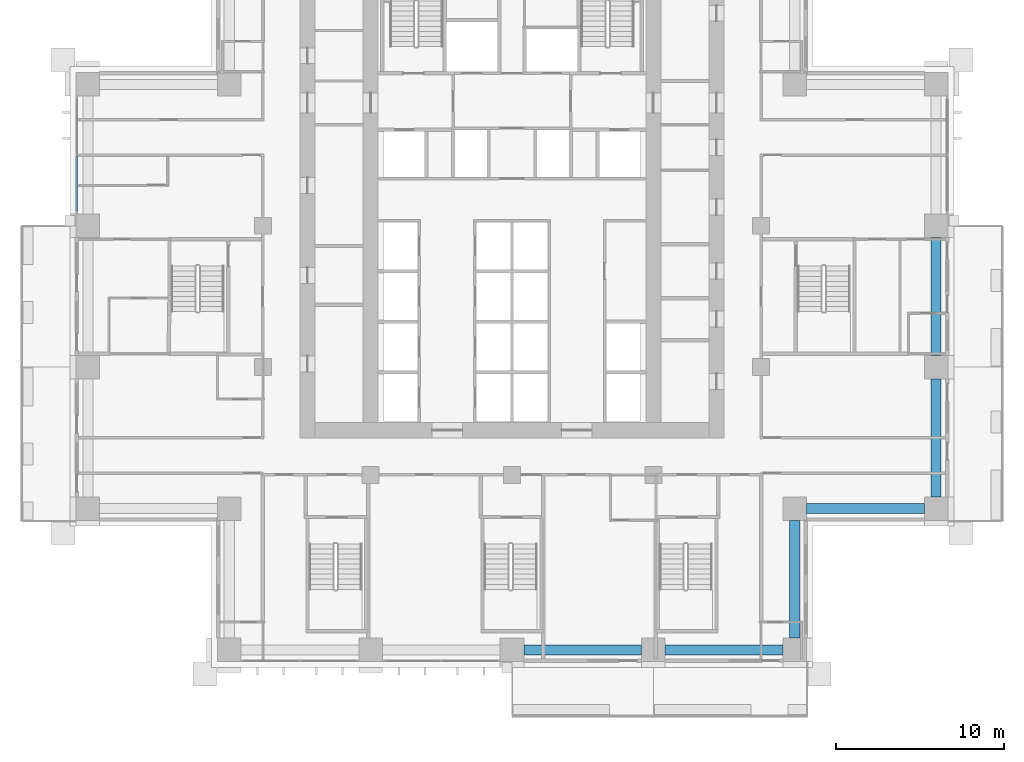
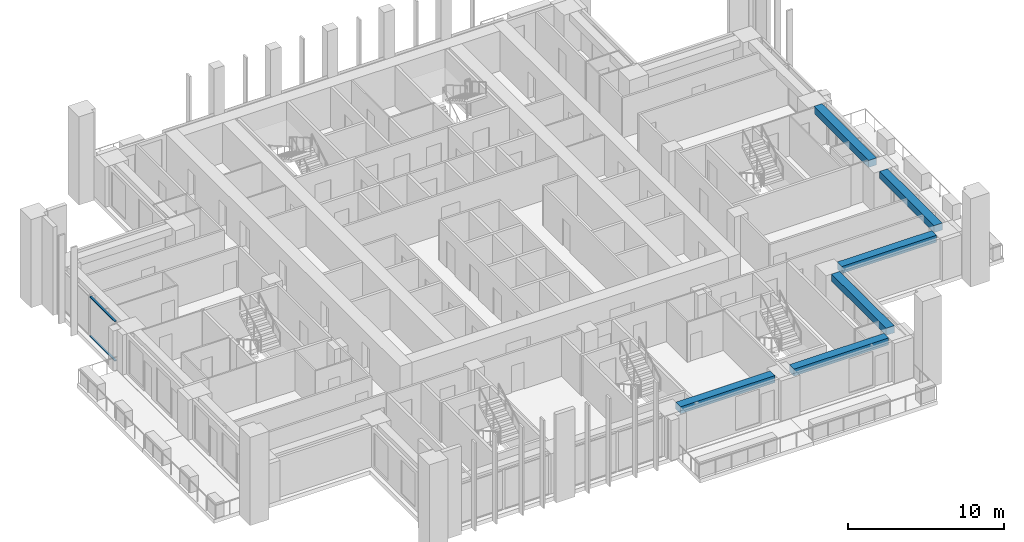
# One storey, part 3 of 19: 6 beams, 2 members, 1 element without a shape of its own.
"""IFC4 building model written with IfcOpenShell, lengths in metres."""

from ifc_helpers import new_model, si_unit, direction, frame, origin, origin_2d, place, context, subcontext, project, spatial, rectangle, extrude, material, material_profile, profile_set, type_object, element, aggregate, save


model = new_model("IFC4")

# Units and contexts
model_context = context("Model", 3, precision=1e-05, world=origin(), true_north=direction((0.0, 1.0)))
body_context = subcontext(model_context, "Body", "Model", "MODEL_VIEW")
ifc_project = project(units=[si_unit("LENGTHUNIT", "METRE"), si_unit("AREAUNIT", "SQUARE_METRE"), si_unit("VOLUMEUNIT", "CUBIC_METRE"), si_unit("PLANEANGLEUNIT", "RADIAN"), si_unit("MASSUNIT", "GRAM", prefix="KILO")], contexts=[model_context])

# Site, building, storey
site_placement = place(None, origin())
site = spatial("IfcSite", under=ifc_project, at=site_placement, CompositionType="ELEMENT")
building_placement = place(site_placement, origin())
building = spatial("IfcBuilding", under=site, at=building_placement, Name="Vermilion Ogive Tower", CompositionType="ELEMENT")
storey_placement = place(building_placement, frame((0.0, 0.0, 48.300048828125)))
storey = spatial("IfcBuildingStorey", under=building, at=storey_placement, Name="L10", CompositionType="ELEMENT", Elevation=48.300048828125)

# Curtain wall, members
ifc_material_1 = material(Name="Low-iron laminated glazing in aluminium frame", Category="aluminium")
curtain_wall_type = type_object("IfcCurtainWallType", Name="Curtain wall CW7", PredefinedType="NOTDEFINED", material=ifc_material_1)
curtain_wall_placement = place(storey_placement, origin())
curtain_wall = element("IfcCurtainWall", 1, at=curtain_wall_placement, inside=storey, type_object=curtain_wall_type, Name="Glazed skin W1", PredefinedType="NOTDEFINED")
ifc_material_2 = material(Name="Aluminium transom", Category="aluminium")
ifc_material_profile_1 = material_profile(ifc_material_2, rectangle(XDim=0.139892578125, YDim=0.06005859375, at=origin_2d()), Name="AL 60x140")
ifc_profile_set_1 = profile_set([ifc_material_profile_1], Name="Aluminium transom")
member_type = type_object("IfcMemberType", Name="CW7 transom 60x140", PredefinedType="USERDEFINED", material=ifc_profile_set_1)
member_1_placement = place(storey_placement, frame((-25.85009765625, 8.31005859375, 0.030029296875), z_axis=(0.0, -1.0, 0.0), x_axis=(1.0, 0.0, 0.0)))
member_1 = element("IfcMember", 2, at=member_1_placement, type_object=member_type, Name="CW7-W1 transom 2.1", ObjectType="TRANSOM", PredefinedType="USERDEFINED", context=body_context, shape_type="SweptSolid", body=[
    extrude(rectangle(XDim=0.139892578125, YDim=0.06005859375, at=origin_2d()), origin(), (0.0, 0.0, 1.0), 3.22998046875),
])
member_2_placement = place(storey_placement, frame((-25.85009765625, 8.31005859375, 3.099853515625), z_axis=(0.0, -1.0, 0.0), x_axis=(1.0, 0.0, 0.0)))
member_2 = element("IfcMember", 3, at=member_2_placement, type_object=member_type, Name="CW7-W1 transom 2.2", ObjectType="TRANSOM", PredefinedType="USERDEFINED", context=body_context, shape_type="SweptSolid", body=[
    extrude(rectangle(XDim=0.139892578125, YDim=0.06005859375, at=origin_2d()), origin(), (0.0, 0.0, 1.0), 3.22998046875),
])
aggregate(curtain_wall, [member_1, member_2])

# Beams
ifc_material_3 = material(Name="Concrete B45", Category="concrete")
ifc_material_profile_2 = material_profile(ifc_material_3, rectangle(XDim=0.60009765625, YDim=0.550048828125, at=origin_2d()), Name="600 x 550")
ifc_profile_set_2 = profile_set([ifc_material_profile_2], Name="Concrete B45")
beam_type = type_object("IfcBeamType", Name="Edge beam 600 x 550 B45", PredefinedType="BEAM", material=ifc_profile_set_2)
for number, where, z_axis, x_axis, name in (
    (4, (0.699951171875, -21.0, 2.85498046875), (1.0, 0.0, 0.0), (0.0, 1.0, 0.0), "L10-EB-3"),
    (5, (9.10009765625, -21.0, 2.85498046875), (1.0, 0.0, 0.0), (0.0, 1.0, 0.0), "L10-EB-4"),
    (6, (16.800048828125, -20.300048828125, 2.85498046875), (0.0, 1.0, 0.0), (-1.0, 0.0, 0.0), "L10-EB-5"),
    (7, (17.5, -12.60009765625, 2.85498046875), (1.0, 0.0, 0.0), (0.0, 1.0, 0.0), "L10-EB-6"),
    (8, (25.199951171875, -11.89990234375, 2.85498046875), (0.0, 1.0, 0.0), (-1.0, 0.0, 0.0), "L10-EB-7"),
    (9, (25.199951171875, -3.5, 2.85498046875), (0.0, 1.0, 0.0), (-1.0, 0.0, 0.0), "L10-EB-8"),
):
    element("IfcBeam", number, at=place(storey_placement, frame(where, z_axis=z_axis, x_axis=x_axis)), inside=storey, type_object=beam_type, Name=name, PredefinedType="BEAM", context=body_context, shape_type="SweptSolid", body=[
        extrude(rectangle(XDim=0.60009765625, YDim=0.550048828125, at=origin_2d()), origin(), (0.0, 0.0, 1.0), 7.0),
    ])

save(model, "model.ifc")
